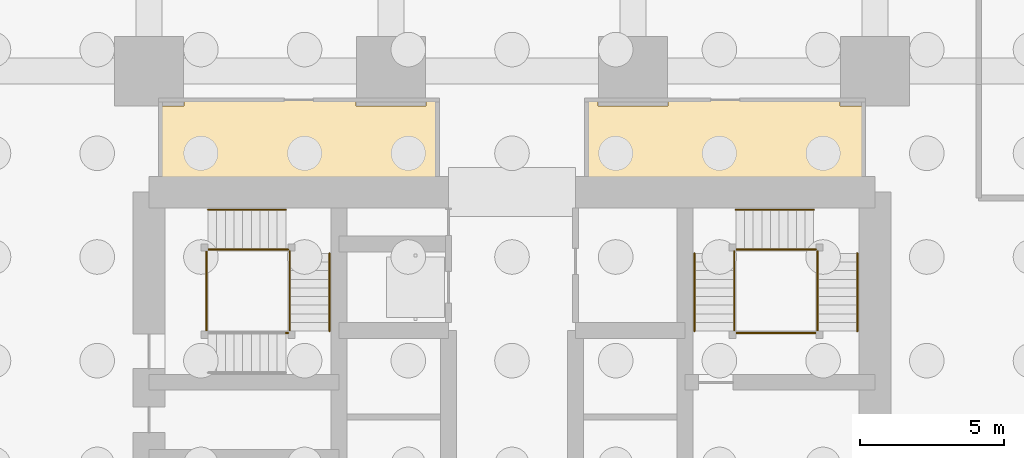
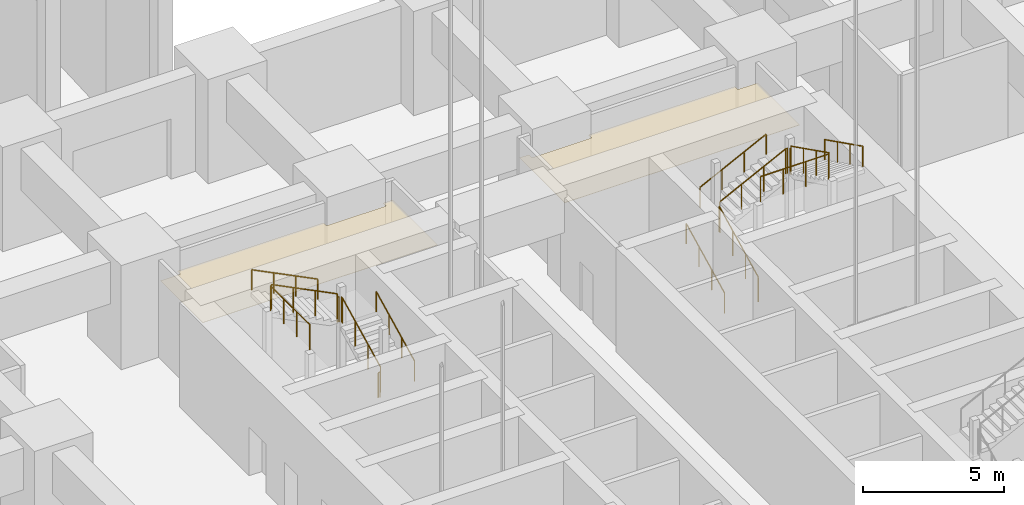
# One storey, part 17 of 28: 18 railings, 2 coverings.
"""IFC4 building model written with IfcOpenShell, lengths in metres."""

from ifc_helpers import new_model, si_unit, direction, frame, origin, origin_2d, place, context, subcontext, project, spatial, polyline, circle, outline, extrude, material, layer, layer_set, type_object, element, save


model = new_model("IFC4")

# Units and contexts
model_context = context("Model", 3, precision=1e-05, world=origin(), true_north=direction((0.0, 1.0)))
body_context = subcontext(model_context, "Body", "Model", "MODEL_VIEW")
ifc_project = project(units=[si_unit("LENGTHUNIT", "METRE"), si_unit("AREAUNIT", "SQUARE_METRE"), si_unit("VOLUMEUNIT", "CUBIC_METRE"), si_unit("PLANEANGLEUNIT", "RADIAN"), si_unit("MASSUNIT", "GRAM", prefix="KILO")], contexts=[model_context])

# Site, building, storey
site_placement = place(None, origin())
site = spatial("IfcSite", under=ifc_project, at=site_placement, CompositionType="ELEMENT")
building_placement = place(site_placement, origin())
building = spatial("IfcBuilding", under=site, at=building_placement, Name="Rekha Terrace Tower", CompositionType="ELEMENT")
storey_placement = place(building_placement, frame((0.0, 0.0, -9.89990234375)))
storey = spatial("IfcBuildingStorey", under=building, at=storey_placement, Name="B-02", CompositionType="ELEMENT", Elevation=-9.89990234375)

# Coverings
ifc_material_1 = material(Name="Fibre cement board", Category="finish")
ifc_layer = layer(ifc_material_1, 0.014892578125)
ifc_layer_set = layer_set([ifc_layer], Name="Fibre cement board")
covering_type = type_object("IfcCoveringType", Name="CL2 moisture-resistant board ceiling", PredefinedType="CEILING", material=ifc_layer_set)
covering_1_placement = place(storey_placement, frame((0.0, 0.0, 3.284912109375)))
element("IfcCovering", 1, at=covering_1_placement, inside=storey, type_object=covering_type, Name="Ceiling B-02-WCF", PredefinedType="CEILING", context=body_context, shape_type="SweptSolid", body=[
    extrude(outline(polyline([(40.784912109375, 49.39990234375), (40.39990234375, 49.39990234375), (40.39990234375, 46.199951171875), (50.0, 46.199951171875), (50.0, 49.18505859375), (49.18505859375, 49.18505859375), (49.18505859375, 49.39990234375), (43.215087890625, 49.39990234375), (43.215087890625, 49.18505859375), (40.784912109375, 49.18505859375), (40.784912109375, 49.39990234375)])), origin(), (0.0, 0.0, 1.0), 0.014892578125),
])
covering_2_placement = place(storey_placement, frame((0.0, 0.0, 3.284912109375)))
element("IfcCovering", 2, at=covering_2_placement, inside=storey, type_object=covering_type, Name="Ceiling B-02-WCF2", PredefinedType="CEILING", context=body_context, shape_type="SweptSolid", body=[
    extrude(outline(polyline([(26.4150390625, 49.18505859375), (25.60009765625, 49.18505859375), (25.60009765625, 46.199951171875), (35.199951171875, 46.199951171875), (35.199951171875, 49.39990234375), (34.81494140625, 49.39990234375), (34.81494140625, 49.18505859375), (32.385009765625, 49.18505859375), (32.385009765625, 49.39990234375), (26.4150390625, 49.39990234375), (26.4150390625, 49.18505859375)])), origin(), (0.0, 0.0, 1.0), 0.014892578125),
])

# Railings
ifc_material_2 = material(Name="Stainless steel balustrade", Category="steel")
railing_type_1 = type_object("IfcRailingType", Name="GR1 1100 stair guard", PredefinedType="GUARDRAIL", material=ifc_material_2)
railing_1_placement = place(storey_placement, frame((45.514892578125, 41.375, 0.14990234375)))
element("IfcRailing", 3, at=railing_1_placement, inside=storey, type_object=railing_type_1, Name="Guard ST2 B-02 flight 1", PredefinedType="GUARDRAIL", context=body_context, shape_type="SweptSolid", body=[
    extrude(circle(Radius=0.02392578125, at=origin_2d()), frame((0.0, 0.0, 1.076171875), z_axis=(0.0, 0.894411015155, 0.447245945728), x_axis=(-1.0, 0.0, 0.0)), (0.0, 0.0, 1.0), 3.018798828125),
    extrude(circle(Radius=0.02099609375, at=origin_2d()), origin(), (0.0, 0.0, 1.0), 1.052001953125),
    extrude(circle(Radius=0.02099609375, at=origin_2d()), frame((0.0, 0.89990234375, 0.449951171875)), (0.0, 0.0, 1.0), 1.052001953125),
    extrude(circle(Radius=0.02099609375, at=origin_2d()), frame((0.0, 1.800048828125, 0.900146484375)), (0.0, 0.0, 1.0), 1.052001953125),
    extrude(circle(Radius=0.02099609375, at=origin_2d()), frame((0.0, 2.699951171875, 1.35009765625)), (0.0, 0.0, 1.0), 1.052001953125),
])
railing_2_placement = place(storey_placement, frame((45.574951171875, 44.2099609375, 1.64990234375)))
element("IfcRailing", 4, at=railing_2_placement, inside=storey, type_object=railing_type_1, Name="Guard ST2 B-02 flight 2", PredefinedType="GUARDRAIL", context=body_context, shape_type="SweptSolid", body=[
    extrude(circle(Radius=0.02392578125, at=origin_2d()), frame((0.0, 0.0, 1.076171875), z_axis=(0.894411015155, 0.0, 0.447245945728), x_axis=(0.0, 1.0, 0.0)), (0.0, 0.0, 1.0), 3.018798828125),
    extrude(circle(Radius=0.02099609375, at=origin_2d()), origin(), (0.0, 0.0, 1.0), 1.052001953125),
    extrude(circle(Radius=0.02099609375, at=origin_2d()), frame((0.89990234375, 0.0, 0.449951171875)), (0.0, 0.0, 1.0), 1.052001953125),
    extrude(circle(Radius=0.02099609375, at=origin_2d()), frame((1.800048828125, 0.0, 0.900146484375)), (0.0, 0.0, 1.0), 1.052001953125),
    extrude(circle(Radius=0.02099609375, at=origin_2d()), frame((2.699951171875, 0.0, 1.35009765625)), (0.0, 0.0, 1.0), 1.052001953125),
])
railing_3_placement = place(storey_placement, frame((48.409912109375, 44.074951171875, 3.14990234375)))
element("IfcRailing", 5, at=railing_3_placement, inside=storey, type_object=railing_type_1, Name="Guard ST2 B-02 flight 3", PredefinedType="GUARDRAIL", context=body_context, shape_type="SweptSolid", body=[
    extrude(circle(Radius=0.02392578125, at=origin_2d()), frame((0.0, 0.0, 1.076171875), z_axis=(0.0, -0.894411015155, 0.447245945728), x_axis=(1.0, 0.0, 0.0)), (0.0, 0.0, 1.0), 3.018798828125),
    extrude(circle(Radius=0.02099609375, at=origin_2d()), origin(), (0.0, 0.0, 1.0), 1.052001953125),
    extrude(circle(Radius=0.02099609375, at=origin_2d()), frame((0.0, -0.89990234375, 0.449951171875)), (0.0, 0.0, 1.0), 1.052001953125),
    extrude(circle(Radius=0.02099609375, at=origin_2d()), frame((0.0, -1.800048828125, 0.900146484375)), (0.0, 0.0, 1.0), 1.052001953125),
    extrude(circle(Radius=0.02099609375, at=origin_2d()), frame((0.0, -2.699951171875, 1.35009765625)), (0.0, 0.0, 1.0), 1.052001953125),
])
railing_4_placement = place(storey_placement, frame((45.514892578125, 44.074951171875, 1.5)))
element("IfcRailing", 6, at=railing_4_placement, inside=storey, type_object=railing_type_1, Name="Guard ST2 B-02 landing 1", PredefinedType="GUARDRAIL", context=body_context, shape_type="SweptSolid", body=[
    extrude(circle(Radius=0.02392578125, at=origin_2d()), frame((0.0, 0.0, 1.076171875), z_axis=(0.0, 1.0, 0.0), x_axis=(-1.0, 0.0, 0.0)), (0.0, 0.0, 1.0), 0.074951171875),
    extrude(circle(Radius=0.02099609375, at=origin_2d()), origin(), (0.0, 0.0, 1.0), 1.052001953125),
    extrude(circle(Radius=0.02099609375, at=origin_2d()), frame((0.0, 0.074951171875, 0.0)), (0.0, 0.0, 1.0), 1.052001953125),
])
railing_5_placement = place(storey_placement, frame((48.27490234375, 44.2099609375, 3.0)))
element("IfcRailing", 7, at=railing_5_placement, inside=storey, type_object=railing_type_1, Name="Guard ST2 B-02 landing 2", PredefinedType="GUARDRAIL", context=body_context, shape_type="SweptSolid", body=[
    extrude(circle(Radius=0.02392578125, at=origin_2d()), frame((0.0, 0.0, 1.076171875), z_axis=(1.0, 0.0, 0.0), x_axis=(0.0, 1.0, 0.0)), (0.0, 0.0, 1.0), 0.0751953125),
    extrude(circle(Radius=0.02099609375, at=origin_2d()), origin(), (0.0, 0.0, 1.0), 1.052001953125),
    extrude(circle(Radius=0.02099609375, at=origin_2d()), frame((0.0751953125, 0.0, 0.0)), (0.0, 0.0, 1.0), 1.052001953125),
])
railing_6_placement = place(storey_placement, frame((48.409912109375, 44.074951171875, 3.0)))
element("IfcRailing", 8, at=railing_6_placement, inside=storey, type_object=railing_type_1, Name="Guard ST2 B-02 landing 3", PredefinedType="GUARDRAIL", context=body_context, shape_type="SweptSolid", body=[
    extrude(circle(Radius=0.02392578125, at=origin_2d()), frame((0.0, 0.0, 1.076171875), z_axis=(0.0, 1.0, 0.0), x_axis=(-1.0, 0.0, 0.0)), (0.0, 0.0, 1.0), 0.074951171875),
    extrude(circle(Radius=0.02099609375, at=origin_2d()), origin(), (0.0, 0.0, 1.0), 1.052001953125),
    extrude(circle(Radius=0.02099609375, at=origin_2d()), frame((0.0, 0.074951171875, 0.0)), (0.0, 0.0, 1.0), 1.052001953125),
])
railing_7_placement = place(storey_placement, frame((45.574951171875, 41.31494140625, 4.5)))
element("IfcRailing", 9, at=railing_7_placement, inside=storey, type_object=railing_type_1, Name="Guard ST2 B-02 landing 4", PredefinedType="GUARDRAIL", context=body_context, shape_type="SweptSolid", body=[
    extrude(circle(Radius=0.02392578125, at=origin_2d()), frame((0.0, 0.0, 1.076171875), z_axis=(1.0, 0.0, 0.0), x_axis=(0.0, 1.0, 0.0)), (0.0, 0.0, 1.0), 2.775146484375),
    extrude(circle(Radius=0.02099609375, at=origin_2d()), origin(), (0.0, 0.0, 1.0), 1.052001953125),
    extrude(circle(Radius=0.02099609375, at=origin_2d()), frame((0.925048828125, 0.0, 0.0)), (0.0, 0.0, 1.0), 1.052001953125),
    extrude(circle(Radius=0.02099609375, at=origin_2d()), frame((1.85009765625, 0.0, 0.0)), (0.0, 0.0, 1.0), 1.052001953125),
    extrude(circle(Radius=0.02099609375, at=origin_2d()), frame((2.775146484375, 0.0, 0.0)), (0.0, 0.0, 1.0), 1.052001953125),
])
railing_8_placement = place(storey_placement, frame((30.0849609375, 41.375, 1.64990234375)))
element("IfcRailing", 10, at=railing_8_placement, inside=storey, type_object=railing_type_1, Name="Guard ST4 B-02 flight 2", PredefinedType="GUARDRAIL", context=body_context, shape_type="SweptSolid", body=[
    extrude(circle(Radius=0.02392578125, at=origin_2d()), frame((0.0, 0.0, 1.076171875), z_axis=(0.0, 0.894411015155, 0.447245945728), x_axis=(-1.0, 0.0, 0.0)), (0.0, 0.0, 1.0), 3.018798828125),
    extrude(circle(Radius=0.02099609375, at=origin_2d()), origin(), (0.0, 0.0, 1.0), 1.052001953125),
    extrude(circle(Radius=0.02099609375, at=origin_2d()), frame((0.0, 0.89990234375, 0.449951171875)), (0.0, 0.0, 1.0), 1.052001953125),
    extrude(circle(Radius=0.02099609375, at=origin_2d()), frame((0.0, 1.800048828125, 0.900146484375)), (0.0, 0.0, 1.0), 1.052001953125),
    extrude(circle(Radius=0.02099609375, at=origin_2d()), frame((0.0, 2.699951171875, 1.35009765625)), (0.0, 0.0, 1.0), 1.052001953125),
])
railing_9_placement = place(storey_placement, frame((29.949951171875, 44.2099609375, 3.14990234375)))
element("IfcRailing", 11, at=railing_9_placement, inside=storey, type_object=railing_type_1, Name="Guard ST4 B-02 flight 3", PredefinedType="GUARDRAIL", context=body_context, shape_type="SweptSolid", body=[
    extrude(circle(Radius=0.02392578125, at=origin_2d()), frame((0.0, 0.0, 1.076171875), z_axis=(-0.894411015155, 0.0, 0.447245945728), x_axis=(0.0, -1.0, 0.0)), (0.0, 0.0, 1.0), 3.018798828125),
    extrude(circle(Radius=0.02099609375, at=origin_2d()), origin(), (0.0, 0.0, 1.0), 1.052001953125),
    extrude(circle(Radius=0.02099609375, at=origin_2d()), frame((-0.89990234375, 0.0, 0.449951171875)), (0.0, 0.0, 1.0), 1.052001953125),
    extrude(circle(Radius=0.02099609375, at=origin_2d()), frame((-1.800048828125, 0.0, 0.900146484375)), (0.0, 0.0, 1.0), 1.052001953125),
    extrude(circle(Radius=0.02099609375, at=origin_2d()), frame((-2.699951171875, 0.0, 1.35009765625)), (0.0, 0.0, 1.0), 1.052001953125),
])
railing_10_placement = place(storey_placement, frame((29.949951171875, 41.31494140625, 1.5)))
element("IfcRailing", 12, at=railing_10_placement, inside=storey, type_object=railing_type_1, Name="Guard ST4 B-02 landing 1", PredefinedType="GUARDRAIL", context=body_context, shape_type="SweptSolid", body=[
    extrude(circle(Radius=0.02392578125, at=origin_2d()), frame((0.0, 0.0, 1.076171875), z_axis=(1.0, 0.0, 0.0), x_axis=(0.0, 1.0, 0.0)), (0.0, 0.0, 1.0), 0.074951171875),
    extrude(circle(Radius=0.02099609375, at=origin_2d()), origin(), (0.0, 0.0, 1.0), 1.052001953125),
    extrude(circle(Radius=0.02099609375, at=origin_2d()), frame((0.074951171875, 0.0, 0.0)), (0.0, 0.0, 1.0), 1.052001953125),
])
railing_11_placement = place(storey_placement, frame((30.0849609375, 44.074951171875, 3.0)))
element("IfcRailing", 13, at=railing_11_placement, inside=storey, type_object=railing_type_1, Name="Guard ST4 B-02 landing 2", PredefinedType="GUARDRAIL", context=body_context, shape_type="SweptSolid", body=[
    extrude(circle(Radius=0.02392578125, at=origin_2d()), frame((0.0, 0.0, 1.076171875), z_axis=(0.0, 1.0, 0.0), x_axis=(-1.0, 0.0, 0.0)), (0.0, 0.0, 1.0), 0.074951171875),
    extrude(circle(Radius=0.02099609375, at=origin_2d()), origin(), (0.0, 0.0, 1.0), 1.052001953125),
    extrude(circle(Radius=0.02099609375, at=origin_2d()), frame((0.0, 0.074951171875, 0.0)), (0.0, 0.0, 1.0), 1.052001953125),
])
railing_12_placement = place(storey_placement, frame((29.949951171875, 44.2099609375, 3.0)))
element("IfcRailing", 14, at=railing_12_placement, inside=storey, type_object=railing_type_1, Name="Guard ST4 B-02 landing 3", PredefinedType="GUARDRAIL", context=body_context, shape_type="SweptSolid", body=[
    extrude(circle(Radius=0.02392578125, at=origin_2d()), frame((0.0, 0.0, 1.076171875), z_axis=(1.0, 0.0, 0.0), x_axis=(0.0, 1.0, 0.0)), (0.0, 0.0, 1.0), 0.074951171875),
    extrude(circle(Radius=0.02099609375, at=origin_2d()), origin(), (0.0, 0.0, 1.0), 1.052001953125),
    extrude(circle(Radius=0.02099609375, at=origin_2d()), frame((0.074951171875, 0.0, 0.0)), (0.0, 0.0, 1.0), 1.052001953125),
])
railing_13_placement = place(storey_placement, frame((27.18994140625, 41.375, 4.5)))
element("IfcRailing", 15, at=railing_13_placement, inside=storey, type_object=railing_type_1, Name="Guard ST4 B-02 landing 4", PredefinedType="GUARDRAIL", context=body_context, shape_type="SweptSolid", body=[
    extrude(circle(Radius=0.02392578125, at=origin_2d()), frame((0.0, 0.0, 1.076171875), z_axis=(0.0, 1.0, 0.0), x_axis=(-1.0, 0.0, 0.0)), (0.0, 0.0, 1.0), 2.77490234375),
    extrude(circle(Radius=0.02099609375, at=origin_2d()), origin(), (0.0, 0.0, 1.0), 1.052001953125),
    extrude(circle(Radius=0.02099609375, at=origin_2d()), frame((0.0, 0.925048828125, 0.0)), (0.0, 0.0, 1.0), 1.052001953125),
    extrude(circle(Radius=0.02099609375, at=origin_2d()), frame((0.0, 1.849853515625, 0.0)), (0.0, 0.0, 1.0), 1.052001953125),
    extrude(circle(Radius=0.02099609375, at=origin_2d()), frame((0.0, 2.77490234375, 0.0)), (0.0, 0.0, 1.0), 1.052001953125),
])
ifc_material_3 = material(Name="Stainless steel tube", Category="steel")
railing_type_2 = type_object("IfcRailingType", Name="HR1 900 stair handrail", PredefinedType="HANDRAIL", material=ifc_material_3)
railing_14_placement = place(storey_placement, frame((44.135009765625, 41.375, 0.14990234375)))
element("IfcRailing", 16, at=railing_14_placement, inside=storey, type_object=railing_type_2, Name="Handrail ST2 B-02 flight 1", PredefinedType="HANDRAIL", context=body_context, shape_type="SweptSolid", body=[
    extrude(circle(Radius=0.02392578125, at=origin_2d()), frame((0.0, 0.0, 0.8759765625), z_axis=(0.0, 0.894411015155, 0.447245945728), x_axis=(-1.0, 0.0, 0.0)), (0.0, 0.0, 1.0), 3.018798828125),
    extrude(circle(Radius=0.02099609375, at=origin_2d()), origin(), (0.0, 0.0, 1.0), 0.851806640625),
    extrude(circle(Radius=0.02099609375, at=origin_2d()), frame((0.0, 0.89990234375, 0.449951171875)), (0.0, 0.0, 1.0), 0.851806640625),
    extrude(circle(Radius=0.02099609375, at=origin_2d()), frame((0.0, 1.800048828125, 0.900146484375)), (0.0, 0.0, 1.0), 0.851806640625),
    extrude(circle(Radius=0.02099609375, at=origin_2d()), frame((0.0, 2.699951171875, 1.35009765625)), (0.0, 0.0, 1.0), 0.851806640625),
])
railing_15_placement = place(storey_placement, frame((45.574951171875, 45.590087890625, 1.64990234375)))
element("IfcRailing", 17, at=railing_15_placement, inside=storey, type_object=railing_type_2, Name="Handrail ST2 B-02 flight 2", PredefinedType="HANDRAIL", context=body_context, shape_type="SweptSolid", body=[
    extrude(circle(Radius=0.02392578125, at=origin_2d()), frame((0.0, 0.0, 0.8759765625), z_axis=(0.894411015155, 0.0, 0.447245945728), x_axis=(0.0, 1.0, 0.0)), (0.0, 0.0, 1.0), 3.018798828125),
    extrude(circle(Radius=0.02099609375, at=origin_2d()), origin(), (0.0, 0.0, 1.0), 0.851806640625),
    extrude(circle(Radius=0.02099609375, at=origin_2d()), frame((0.89990234375, 0.0, 0.449951171875)), (0.0, 0.0, 1.0), 0.851806640625),
    extrude(circle(Radius=0.02099609375, at=origin_2d()), frame((1.800048828125, 0.0, 0.900146484375)), (0.0, 0.0, 1.0), 0.851806640625),
    extrude(circle(Radius=0.02099609375, at=origin_2d()), frame((2.699951171875, 0.0, 1.35009765625)), (0.0, 0.0, 1.0), 0.851806640625),
])
railing_16_placement = place(storey_placement, frame((49.7900390625, 44.074951171875, 3.14990234375)))
element("IfcRailing", 18, at=railing_16_placement, inside=storey, type_object=railing_type_2, Name="Handrail ST2 B-02 flight 3", PredefinedType="HANDRAIL", context=body_context, shape_type="SweptSolid", body=[
    extrude(circle(Radius=0.02392578125, at=origin_2d()), frame((0.0, 0.0, 0.8759765625), z_axis=(0.0, -0.894411015155, 0.447245945728), x_axis=(1.0, 0.0, 0.0)), (0.0, 0.0, 1.0), 3.018798828125),
    extrude(circle(Radius=0.02099609375, at=origin_2d()), origin(), (0.0, 0.0, 1.0), 0.851806640625),
    extrude(circle(Radius=0.02099609375, at=origin_2d()), frame((0.0, -0.89990234375, 0.449951171875)), (0.0, 0.0, 1.0), 0.851806640625),
    extrude(circle(Radius=0.02099609375, at=origin_2d()), frame((0.0, -1.800048828125, 0.900146484375)), (0.0, 0.0, 1.0), 0.851806640625),
    extrude(circle(Radius=0.02099609375, at=origin_2d()), frame((0.0, -2.699951171875, 1.35009765625)), (0.0, 0.0, 1.0), 0.851806640625),
])
railing_17_placement = place(storey_placement, frame((31.465087890625, 41.375, 1.64990234375)))
element("IfcRailing", 19, at=railing_17_placement, inside=storey, type_object=railing_type_2, Name="Handrail ST4 B-02 flight 2", PredefinedType="HANDRAIL", context=body_context, shape_type="SweptSolid", body=[
    extrude(circle(Radius=0.02392578125, at=origin_2d()), frame((0.0, 0.0, 0.8759765625), z_axis=(0.0, 0.894411015155, 0.447245945728), x_axis=(-1.0, 0.0, 0.0)), (0.0, 0.0, 1.0), 3.018798828125),
    extrude(circle(Radius=0.02099609375, at=origin_2d()), origin(), (0.0, 0.0, 1.0), 0.851806640625),
    extrude(circle(Radius=0.02099609375, at=origin_2d()), frame((0.0, 0.89990234375, 0.449951171875)), (0.0, 0.0, 1.0), 0.851806640625),
    extrude(circle(Radius=0.02099609375, at=origin_2d()), frame((0.0, 1.800048828125, 0.900146484375)), (0.0, 0.0, 1.0), 0.851806640625),
    extrude(circle(Radius=0.02099609375, at=origin_2d()), frame((0.0, 2.699951171875, 1.35009765625)), (0.0, 0.0, 1.0), 0.851806640625),
])
railing_18_placement = place(storey_placement, frame((29.949951171875, 45.590087890625, 3.14990234375)))
element("IfcRailing", 20, at=railing_18_placement, inside=storey, type_object=railing_type_2, Name="Handrail ST4 B-02 flight 3", PredefinedType="HANDRAIL", context=body_context, shape_type="SweptSolid", body=[
    extrude(circle(Radius=0.02392578125, at=origin_2d()), frame((0.0, 0.0, 0.8759765625), z_axis=(-0.894411015155, 0.0, 0.447245945728), x_axis=(0.0, -1.0, 0.0)), (0.0, 0.0, 1.0), 3.018798828125),
    extrude(circle(Radius=0.02099609375, at=origin_2d()), origin(), (0.0, 0.0, 1.0), 0.851806640625),
    extrude(circle(Radius=0.02099609375, at=origin_2d()), frame((-0.89990234375, 0.0, 0.449951171875)), (0.0, 0.0, 1.0), 0.851806640625),
    extrude(circle(Radius=0.02099609375, at=origin_2d()), frame((-1.800048828125, 0.0, 0.900146484375)), (0.0, 0.0, 1.0), 0.851806640625),
    extrude(circle(Radius=0.02099609375, at=origin_2d()), frame((-2.699951171875, 0.0, 1.35009765625)), (0.0, 0.0, 1.0), 0.851806640625),
])

save(model, "model.ifc")
